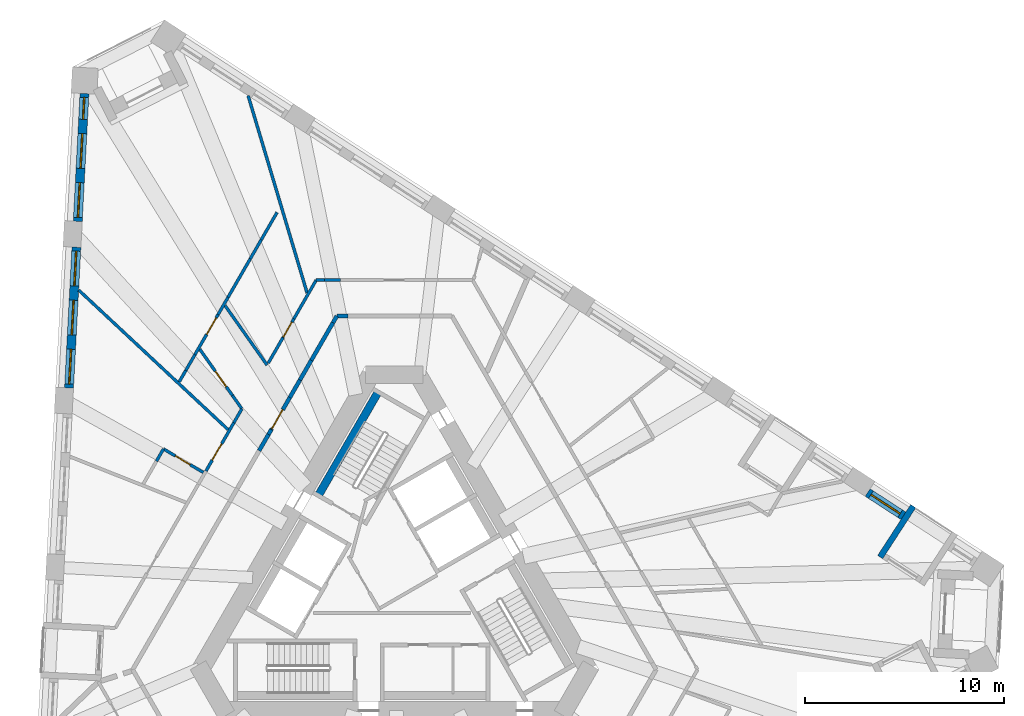
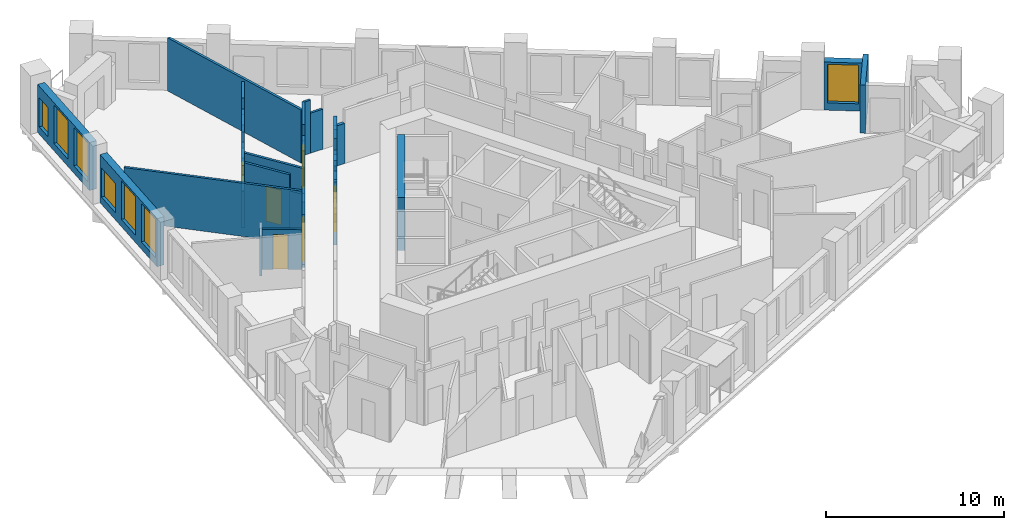
# One storey, part 7 of 13: 34 walls, 7 windows, 6 doors, 13 openings.
"""IFC4 building model written with IfcOpenShell, lengths in metres."""

from ifc_helpers import new_model, si_unit, direction, frame, frame_2d, origin, place, context, subcontext, project, spatial, polyline, rectangle, outline, extrude, material, layer, layer_set, type_object, element, fill, save


model = new_model("IFC4")

# Units and contexts
model_context = context("Model", 3, precision=1e-05, world=origin(), true_north=direction((0.0, 1.0)))
body_context = subcontext(model_context, "Body", "Model", "MODEL_VIEW")
ifc_project = project(units=[si_unit("LENGTHUNIT", "METRE"), si_unit("AREAUNIT", "SQUARE_METRE"), si_unit("VOLUMEUNIT", "CUBIC_METRE"), si_unit("PLANEANGLEUNIT", "RADIAN"), si_unit("MASSUNIT", "GRAM", prefix="KILO")], contexts=[model_context])

# Site, building, storey
site_placement = place(None, origin())
site = spatial("IfcSite", under=ifc_project, at=site_placement, CompositionType="ELEMENT")
building_placement = place(site_placement, origin())
building = spatial("IfcBuilding", under=site, at=building_placement, Name="Tramontana Tower", CompositionType="ELEMENT")
storey_placement = place(building_placement, frame((0.0, 0.0, 141.60009765625)))
storey = spatial("IfcBuildingStorey", under=building, at=storey_placement, Name="L32", CompositionType="ELEMENT", Elevation=141.60009765625)

# Walls
ifc_material_1 = material(Name="Blockwork", Category="masonry")
ifc_layer_1 = layer(ifc_material_1, 0.199951171875)
ifc_layer_set_1 = layer_set([ifc_layer_1], Name="ENTRY WALL 200")
wall_type_1 = type_object("IfcWallType", Name="ENTRY WALL 200", PredefinedType="SOLIDWALL", material=ifc_layer_set_1)
wall_1_placement = place(storey_placement, frame((-6.790283203125, 6.739013671875, 0.0), z_axis=(0.0, 0.0, 1.0), x_axis=(0.500118100521, 0.865957207679, 0.0)))
element("IfcWall", 1, at=wall_1_placement, inside=storey, type_object=wall_type_1, Name="Wall v31-ew4-5", PredefinedType="SOLIDWALL", context=body_context, shape_type="SweptSolid", body=[
    extrude(rectangle(XDim=0.943603515625, YDim=0.199951171875, at=frame_2d((0.4716796875, 0.0))), origin(), (0.0, 0.0, 1.0), 2.5498046875),
])
wall_2_placement = place(storey_placement, frame((-6.318359375, 7.55615234375, 0.0), z_axis=(0.0, 0.0, 1.0), x_axis=(0.499973348067, 0.866040790738, 0.0)))
element("IfcWall", 2, at=wall_2_placement, inside=storey, type_object=wall_type_1, Name="Wall v31-ew4-6", PredefinedType="SOLIDWALL", context=body_context, shape_type="SweptSolid", body=[
    extrude(rectangle(XDim=0.28076171875, YDim=0.199951171875, at=frame_2d((0.140380859375, 0.0))), origin(), (0.0, 0.0, 1.0), 3.64990234375),
])

# Wall, opening, door
wall_3_placement = place(storey_placement, frame((-6.177978515625, 7.79931640625, 0.0), z_axis=(0.0, 0.0, 1.0), x_axis=(0.499999386358, 0.86602575807, 0.0)))
wall_3 = element("IfcWall", 3, at=wall_3_placement, inside=storey, type_object=wall_type_1, Name="Wall v31-ew4-7", PredefinedType="SOLIDWALL", context=body_context, shape_type="SweptSolid", body=[
    extrude(outline(polyline([(0.0, 0.0), (1.85693359375, 0.0), (1.85693359375, 2.5498046875), (0.833251953125, 2.5498046875), (0.833251953125, 3.64990234375), (0.0, 3.64990234375), (0.0, 0.0)])), frame((0.0, 0.10009765625, 0.0), z_axis=(0.0, -1.0, 0.0), x_axis=(1.0, 0.0, 0.0)), (0.0, 0.0, 1.0), 0.199951171875),
])
opening_1_placement = place(wall_3_placement, frame((0.050048828125, 0.0, 0.0)))
opening_1 = element("IfcOpeningElement", 4, at=opening_1_placement, cuts=wall_3, Name="Opening B3B-26", PredefinedType="OPENING", context=body_context, shape_type="SweptSolid", body=[
    extrude(rectangle(XDim=1.10009765625, YDim=2.39990234375, at=frame_2d((0.550048828125, 1.199951171875))), frame((0.0, 0.10986328125, 0.0), z_axis=(0.0, -1.0, 0.0), x_axis=(1.0, 0.0, 0.0)), (0.0, 0.0, 1.0), 0.219970703125),
])
ifc_material_2 = material(Name="Painted timber", Category="wood")
door_type_1 = type_object("IfcDoorType", Name="DOOR ENTRY 1100", OperationType="SINGLE_SWING_LEFT", PredefinedType="DOOR", material=ifc_material_2)
door_1_placement = place(opening_1_placement, origin())
door_1 = element("IfcDoor", 5, at=door_1_placement, inside=storey, type_object=door_type_1, Name="Door B3B-26", OperationType="SINGLE_SWING_RIGHT", OverallHeight=2.39990234375, OverallWidth=1.10009765625, PredefinedType="DOOR", context=body_context, shape_type="SweptSolid", body=[
    extrude(rectangle(XDim=1.10009765625, YDim=2.39990234375, at=frame_2d((0.550048828125, 1.199951171875))), frame((0.0, 0.02490234375, 0.0), z_axis=(0.0, -1.0, 0.0), x_axis=(1.0, 0.0, 0.0)), (0.0, 0.0, 1.0), 0.050048828125),
])
fill(opening_1, door_1)

# Walls
wall_4_placement = place(storey_placement, frame((-5.24951171875, 9.407470703125, 0.0), z_axis=(0.0, 0.0, 1.0), x_axis=(0.499991148707, 0.866030514021, 0.0)))
element("IfcWall", 6, at=wall_4_placement, inside=storey, type_object=wall_type_1, Name="Wall v31-ew4-8", PredefinedType="SOLIDWALL", context=body_context, shape_type="SweptSolid", body=[
    extrude(rectangle(XDim=1.0224609375, YDim=0.199951171875, at=frame_2d((0.51123046875, 0.0))), origin(), (0.0, 0.0, 1.0), 3.64990234375),
])
wall_5_placement = place(storey_placement, frame((-4.73828125, 10.29296875, 0.0), z_axis=(0.0, 0.0, 1.0), x_axis=(0.500001688065, 0.866024429177, 0.0)))
element("IfcWall", 7, at=wall_5_placement, inside=storey, type_object=wall_type_1, Name="Wall v31-ew4-9", PredefinedType="SOLIDWALL", context=body_context, shape_type="SweptSolid", body=[
    extrude(rectangle(XDim=1.13525390625, YDim=0.199951171875, at=frame_2d((0.567626953125, 0.0))), origin(), (0.0, 0.0, 1.0), 2.5498046875),
])
wall_6_placement = place(storey_placement, frame((-4.170654296875, 11.276123046875, 0.0), z_axis=(0.0, 0.0, 1.0), x_axis=(0.50001992892, 0.866013897511, 0.0)))
element("IfcWall", 8, at=wall_6_placement, inside=storey, type_object=wall_type_1, Name="Wall v31-ew4-10", PredefinedType="SOLIDWALL", context=body_context, shape_type="SweptSolid", body=[
    extrude(rectangle(XDim=2.1787109375, YDim=0.199951171875, at=frame_2d((1.08935546875, 0.0))), origin(), (0.0, 0.0, 1.0), 3.64990234375),
])
wall_7_placement = place(storey_placement, frame((-3.081298828125, 13.162841796875, 0.0), z_axis=(0.0, 0.0, 1.0), x_axis=(0.499849133735, 0.866112488944, 0.0)))
element("IfcWall", 9, at=wall_7_placement, inside=storey, type_object=wall_type_1, Name="Wall v31-ew4-11", PredefinedType="SOLIDWALL", context=body_context, shape_type="SweptSolid", body=[
    extrude(rectangle(XDim=0.38916015625, YDim=0.199951171875, at=frame_2d((0.194580078125, 0.0))), origin(), (0.0, 0.0, 1.0), 2.75),
])
wall_8_placement = place(storey_placement, frame((-2.88671875, 13.5, 0.0), z_axis=(0.0, 0.0, 1.0), x_axis=(1.0, 0.0, 0.0)))
element("IfcWall", 10, at=wall_8_placement, inside=storey, type_object=wall_type_1, Name="Wall v31-ew5-0", PredefinedType="SOLIDWALL", context=body_context, shape_type="SweptSolid", body=[
    extrude(rectangle(XDim=0.55322265625, YDim=0.199951171875, at=frame_2d((0.276611328125, 0.0))), origin(), (0.0, 0.0, 1.0), 2.75),
])

# Wall, openings, windows
ifc_material_3 = material(Name="Precast concrete 60 MPa", Category="concrete")
ifc_layer_2 = layer(ifc_material_3, 0.449951171875)
ifc_layer_set_2 = layer_set([ifc_layer_2], Name="Precast concrete 60 MPa, 450 mm")
wall_type_2 = type_object("IfcWallType", Name="EW1 Stone-faced precast wall 450", PredefinedType="SOLIDWALL", material=ifc_layer_set_2)
wall_9_placement = place(storey_placement, frame((-15.5556640625, 24.66259765625, 0.0), z_axis=(0.0, 0.0, 1.0), x_axis=(-0.052313391961, -0.998630717043, 0.0)))
wall_9 = element("IfcWall", 11, at=wall_9_placement, inside=storey, type_object=wall_type_2, Name="External wall L32 face 0 bay 1", PredefinedType="SOLIDWALL", context=body_context, shape_type="SweptSolid", body=[
    extrude(rectangle(XDim=6.421630859375, YDim=0.449951171875, at=frame_2d((3.2109375, 0.0))), origin(), (0.0, 0.0, 1.0), 3.2998046875),
])
opening_2_placement = place(wall_9_placement, frame((0.1953125, 0.0, 0.5)))
opening_2 = element("IfcOpeningElement", 12, at=opening_2_placement, cuts=wall_9, Name="Opening N2L", PredefinedType="OPENING", context=body_context, shape_type="SweptSolid", body=[
    extrude(rectangle(XDim=1.10009765625, YDim=2.0, at=frame_2d((0.550048828125, 1.0))), frame((0.0, 0.23486328125, 0.0), z_axis=(0.0, -1.0, 0.0), x_axis=(1.0, 0.0, 0.0)), (0.0, 0.0, 1.0), 0.469970703125),
])
opening_3_placement = place(wall_9_placement, frame((2.0107421875, 0.0, 0.5)))
opening_3 = element("IfcOpeningElement", 13, at=opening_3_placement, cuts=wall_9, Name="Opening M2", PredefinedType="OPENING", context=body_context, shape_type="SweptSolid", body=[
    extrude(rectangle(XDim=1.75, YDim=2.64990234375, at=frame_2d((0.875, 1.324951171875))), frame((0.0, 0.23486328125, 0.0), z_axis=(0.0, -1.0, 0.0), x_axis=(1.0, 0.0, 0.0)), (0.0, 0.0, 1.0), 0.469970703125),
])
opening_4_placement = place(wall_9_placement, frame((4.476318359375, 0.0, 0.5)))
opening_4 = element("IfcOpeningElement", 14, at=opening_4_placement, cuts=wall_9, Name="Opening M2", PredefinedType="OPENING", context=body_context, shape_type="SweptSolid", body=[
    extrude(rectangle(XDim=1.75, YDim=2.64990234375, at=frame_2d((0.875, 1.324951171875))), frame((0.0, 0.23486328125, 0.0), z_axis=(0.0, -1.0, 0.0), x_axis=(1.0, 0.0, 0.0)), (0.0, 0.0, 1.0), 0.469970703125),
])
ifc_material_4 = material(Name="Aluminum frame, double glazing unit", Category="aluminium")
window_type_1 = type_object("IfcWindowType", Name="M2 Window 1.75 x 2.65", PartitioningType="SINGLE_PANEL", PredefinedType="WINDOW", material=ifc_material_4)
window_1_placement = place(opening_3_placement, origin())
window_1 = element("IfcWindow", 15, at=window_1_placement, inside=storey, type_object=window_type_1, Name="Window M2 L32 face 0 module 2", OverallHeight=2.64990234375, OverallWidth=1.75, PartitioningType="SINGLE_PANEL", PredefinedType="WINDOW", context=body_context, shape_type="SweptSolid", body=[
    extrude(rectangle(XDim=1.75, YDim=2.64990234375, at=frame_2d((0.875, 1.324951171875))), frame((0.0, 0.030029296875, 0.0), z_axis=(0.0, -1.0, 0.0), x_axis=(1.0, 0.0, 0.0)), (0.0, 0.0, 1.0), 0.06005859375),
])
fill(opening_3, window_1)
window_2_placement = place(opening_4_placement, origin())
window_2 = element("IfcWindow", 16, at=window_2_placement, inside=storey, type_object=window_type_1, Name="Window M2 L32 face 0 module 3", OverallHeight=2.64990234375, OverallWidth=1.75, PartitioningType="SINGLE_PANEL", PredefinedType="WINDOW", context=body_context, shape_type="SweptSolid", body=[
    extrude(rectangle(XDim=1.75, YDim=2.64990234375, at=frame_2d((0.875, 1.324951171875))), frame((0.0, 0.030029296875, 0.0), z_axis=(0.0, -1.0, 0.0), x_axis=(1.0, 0.0, 0.0)), (0.0, 0.0, 1.0), 0.06005859375),
])
fill(opening_4, window_2)
ifc_material_5 = material(Name="Aluminum frame, double glazing unit", Category="aluminium")
window_type_2 = type_object("IfcWindowType", Name="N2L Window 1.1 x 2", PartitioningType="SINGLE_PANEL", PredefinedType="WINDOW", material=ifc_material_5)
window_3_placement = place(opening_2_placement, origin())
window_3 = element("IfcWindow", 17, at=window_3_placement, inside=storey, type_object=window_type_2, Name="Window N2L L32 face 0 module 1", OverallHeight=2.0, OverallWidth=1.10009765625, PartitioningType="SINGLE_PANEL", PredefinedType="WINDOW", context=body_context, shape_type="SweptSolid", body=[
    extrude(rectangle(XDim=1.10009765625, YDim=2.0, at=frame_2d((0.550048828125, 1.0))), frame((0.0, 0.030029296875, 0.0), z_axis=(0.0, -1.0, 0.0), x_axis=(1.0, 0.0, 0.0)), (0.0, 0.0, 1.0), 0.06005859375),
])
fill(opening_2, window_3)

wall_10_placement = place(storey_placement, frame((-15.959716796875, 16.95166015625, 0.0), z_axis=(0.0, 0.0, 1.0), x_axis=(-0.052337766399, -0.998629439887, 0.0)))
wall_10 = element("IfcWall", 18, at=wall_10_placement, inside=storey, type_object=wall_type_2, Name="External wall L32 face 0 bay 2", PredefinedType="SOLIDWALL", context=body_context, shape_type="SweptSolid", body=[
    extrude(rectangle(XDim=7.07177734375, YDim=0.449951171875, at=frame_2d((3.535888671875, 0.0))), origin(), (0.0, 0.0, 1.0), 3.2998046875),
])
opening_5_placement = place(wall_10_placement, frame((0.1953125, 0.0, 0.5)))
opening_5 = element("IfcOpeningElement", 19, at=opening_5_placement, cuts=wall_10, Name="Opening M2L", PredefinedType="OPENING", context=body_context, shape_type="SweptSolid", body=[
    extrude(rectangle(XDim=1.75, YDim=2.0, at=frame_2d((0.875, 1.0))), frame((0.0, 0.23486328125, 0.0), z_axis=(0.0, -1.0, 0.0), x_axis=(1.0, 0.0, 0.0)), (0.0, 0.0, 1.0), 0.469970703125),
])
opening_6_placement = place(wall_10_placement, frame((2.660888671875, 0.0, 0.5)))
opening_6 = element("IfcOpeningElement", 20, at=opening_6_placement, cuts=wall_10, Name="Opening M2", PredefinedType="OPENING", context=body_context, shape_type="SweptSolid", body=[
    extrude(rectangle(XDim=1.75, YDim=2.64990234375, at=frame_2d((0.875, 1.324951171875))), frame((0.0, 0.23486328125, 0.0), z_axis=(0.0, -1.0, 0.0), x_axis=(1.0, 0.0, 0.0)), (0.0, 0.0, 1.0), 0.469970703125),
])
opening_7_placement = place(wall_10_placement, frame((5.126220703125, 0.0, 0.5)))
opening_7 = element("IfcOpeningElement", 21, at=opening_7_placement, cuts=wall_10, Name="Opening M2", PredefinedType="OPENING", context=body_context, shape_type="SweptSolid", body=[
    extrude(rectangle(XDim=1.75, YDim=2.64990234375, at=frame_2d((0.875, 1.324951171875))), frame((0.0, 0.23486328125, 0.0), z_axis=(0.0, -1.0, 0.0), x_axis=(1.0, 0.0, 0.0)), (0.0, 0.0, 1.0), 0.469970703125),
])
window_4_placement = place(opening_6_placement, origin())
window_4 = element("IfcWindow", 22, at=window_4_placement, inside=storey, type_object=window_type_1, Name="Window M2 L32 face 0 module 5", OverallHeight=2.64990234375, OverallWidth=1.75, PartitioningType="SINGLE_PANEL", PredefinedType="WINDOW", context=body_context, shape_type="SweptSolid", body=[
    extrude(rectangle(XDim=1.75, YDim=2.64990234375, at=frame_2d((0.875, 1.324951171875))), frame((0.0, 0.030029296875, 0.0), z_axis=(0.0, -1.0, 0.0), x_axis=(1.0, 0.0, 0.0)), (0.0, 0.0, 1.0), 0.06005859375),
])
fill(opening_6, window_4)
window_5_placement = place(opening_7_placement, origin())
window_5 = element("IfcWindow", 23, at=window_5_placement, inside=storey, type_object=window_type_1, Name="Window M2 L32 face 0 module 6", OverallHeight=2.64990234375, OverallWidth=1.75, PartitioningType="SINGLE_PANEL", PredefinedType="WINDOW", context=body_context, shape_type="SweptSolid", body=[
    extrude(rectangle(XDim=1.75, YDim=2.64990234375, at=frame_2d((0.875, 1.324951171875))), frame((0.0, 0.030029296875, 0.0), z_axis=(0.0, -1.0, 0.0), x_axis=(1.0, 0.0, 0.0)), (0.0, 0.0, 1.0), 0.06005859375),
])
fill(opening_7, window_5)
ifc_material_6 = material(Name="Aluminum frame, double glazing unit", Category="aluminium")
window_type_3 = type_object("IfcWindowType", Name="M2L Window 1.75 x 2", PartitioningType="SINGLE_PANEL", PredefinedType="WINDOW", material=ifc_material_6)
window_6_placement = place(opening_5_placement, origin())
window_6 = element("IfcWindow", 24, at=window_6_placement, inside=storey, type_object=window_type_3, Name="Window M2L L32 face 0 module 4", OverallHeight=2.0, OverallWidth=1.75, PartitioningType="SINGLE_PANEL", PredefinedType="WINDOW", context=body_context, shape_type="SweptSolid", body=[
    extrude(rectangle(XDim=1.75, YDim=2.0, at=frame_2d((0.875, 1.0))), frame((0.0, 0.030029296875, 0.0), z_axis=(0.0, -1.0, 0.0), x_axis=(1.0, 0.0, 0.0)), (0.0, 0.0, 1.0), 0.06005859375),
])
fill(opening_5, window_6)

# Wall, opening, window
wall_11_placement = place(storey_placement, frame((25.5458984375, 3.471923828125, 0.0), z_axis=(0.0, 0.0, 1.0), x_axis=(-0.838675466927, 0.544631491171, 0.0)))
wall_11 = element("IfcWall", 25, at=wall_11_placement, inside=storey, type_object=wall_type_2, Name="External wall L32 face 2 bay 1", PredefinedType="SOLIDWALL", context=body_context, shape_type="SweptSolid", body=[
    extrude(rectangle(XDim=2.140380859375, YDim=0.449951171875, at=frame_2d((1.0703125, 0.0))), origin(), (0.0, 0.0, 1.0), 3.2998046875),
])
opening_8_placement = place(wall_11_placement, frame((0.1953125, 0.0, 0.5)))
opening_8 = element("IfcOpeningElement", 26, at=opening_8_placement, cuts=wall_11, Name="Opening M2", PredefinedType="OPENING", context=body_context, shape_type="SweptSolid", body=[
    extrude(rectangle(XDim=1.75, YDim=2.64990234375, at=frame_2d((0.875, 1.324951171875))), frame((0.0, 0.23486328125, 0.0), z_axis=(0.0, -1.0, 0.0), x_axis=(1.0, 0.0, 0.0)), (0.0, 0.0, 1.0), 0.469970703125),
])
window_7_placement = place(opening_8_placement, origin())
window_7 = element("IfcWindow", 27, at=window_7_placement, inside=storey, type_object=window_type_1, Name="Window M2 L32 face 2 module 3", OverallHeight=2.64990234375, OverallWidth=1.75, PartitioningType="SINGLE_PANEL", PredefinedType="WINDOW", context=body_context, shape_type="SweptSolid", body=[
    extrude(rectangle(XDim=1.75, YDim=2.64990234375, at=frame_2d((0.875, 1.324951171875))), frame((0.0, 0.030029296875, 0.0), z_axis=(0.0, -1.0, 0.0), x_axis=(1.0, 0.0, 0.0)), (0.0, 0.0, 1.0), 0.06005859375),
])
fill(opening_8, window_7)

# Wall
ifc_material_7 = material(Name="Precast concrete 60 MPa", Category="concrete")
ifc_layer_3 = layer(ifc_material_7, 0.300048828125)
ifc_layer_set_3 = layer_set([ifc_layer_3], Name="LW1 Stone-faced loggia wall 300")
wall_type_3 = type_object("IfcWallType", Name="LW1 Stone-faced loggia wall 300", PredefinedType="SOLIDWALL", material=ifc_layer_set_3)
wall_12_placement = place(storey_placement, frame((26.039306640625, 3.956298828125, 0.0), z_axis=(0.0, 0.0, 1.0), x_axis=(-0.544611292451, -0.838688583525, 0.0)))
element("IfcWall", 28, at=wall_12_placement, inside=storey, type_object=wall_type_3, Name="Loggia return L32 G3S2.1b", PredefinedType="SOLIDWALL", context=body_context, shape_type="SweptSolid", body=[
    extrude(rectangle(XDim=3.050048828125, YDim=0.300048828125, at=frame_2d((1.52490234375, 0.0))), origin(), (0.0, 0.0, 1.0), 3.2998046875),
])

# Wall, opening, door
ifc_material_8 = material(Name="Gypsum board partition")
ifc_layer_4 = layer(ifc_material_8, 0.14990234375)
ifc_layer_set_4 = layer_set([ifc_layer_4], Name="PARTITION 150")
wall_type_4 = type_object("IfcWallType", Name="PARTITION 150", PredefinedType="PARTITIONING", material=ifc_layer_set_4)
wall_13_placement = place(storey_placement, frame((-9.457763671875, 5.71875, 0.0), z_axis=(0.0, 0.0, 1.0), x_axis=(0.499996941814, 0.866027169422, 0.0)))
wall_13 = element("IfcWall", 29, at=wall_13_placement, inside=storey, type_object=wall_type_4, Name="Wall v31-pw04-4", PredefinedType="PARTITIONING", context=body_context, shape_type="SweptSolid", body=[
    extrude(rectangle(XDim=2.79736328125, YDim=0.14990234375, at=frame_2d((1.398681640625, 0.0))), origin(), (0.0, 0.0, 1.0), 3.64990234375),
])
opening_9_placement = place(wall_13_placement, frame((0.6298828125, 0.0, 0.0)))
opening_9 = element("IfcOpeningElement", 30, at=opening_9_placement, cuts=wall_13, Name="Opening B3B-05", PredefinedType="OPENING", context=body_context, shape_type="SweptSolid", body=[
    extrude(rectangle(XDim=0.949951171875, YDim=2.39990234375, at=frame_2d((0.47509765625, 1.199951171875))), frame((0.0, 0.0849609375, 0.0), z_axis=(0.0, -1.0, 0.0), x_axis=(1.0, 0.0, 0.0)), (0.0, 0.0, 1.0), 0.169921875),
])
ifc_material_9 = material(Name="Painted timber", Category="wood")
door_type_2 = type_object("IfcDoorType", Name="DOOR ROOM 950", OperationType="SINGLE_SWING_LEFT", PredefinedType="DOOR", material=ifc_material_9)
door_2_placement = place(opening_9_placement, origin())
door_2 = element("IfcDoor", 31, at=door_2_placement, inside=storey, type_object=door_type_2, Name="Door B3B-05", OperationType="SINGLE_SWING_LEFT", OverallHeight=2.39990234375, OverallWidth=0.949951171875, PredefinedType="DOOR", context=body_context, shape_type="SweptSolid", body=[
    extrude(rectangle(XDim=0.949951171875, YDim=2.39990234375, at=frame_2d((0.47509765625, 1.199951171875))), frame((0.0, 0.02490234375, 0.0), z_axis=(0.0, -1.0, 0.0), x_axis=(1.0, 0.0, 0.0)), (0.0, 0.0, 1.0), 0.050048828125),
])
fill(opening_9, door_2)

# Walls
wall_14_placement = place(storey_placement, frame((-8.05908203125, 8.141357421875, 0.0), z_axis=(0.0, 0.0, 1.0), x_axis=(0.499949632511, 0.866054481515, 0.0)))
element("IfcWall", 32, at=wall_14_placement, inside=storey, type_object=wall_type_4, Name="Wall v31-pw04-5", PredefinedType="PARTITIONING", context=body_context, shape_type="SweptSolid", body=[
    extrude(rectangle(XDim=0.80615234375, YDim=0.14990234375, at=frame_2d((0.403076171875, 0.0))), origin(), (0.0, 0.0, 1.0), 2.5498046875),
])
wall_15_placement = place(storey_placement, frame((-11.94140625, 6.216796875, 0.0), z_axis=(0.0, 0.0, 1.0), x_axis=(0.499792463624, 0.866145191815, 0.0)))
element("IfcWall", 33, at=wall_15_placement, inside=storey, type_object=wall_type_4, Name="Wall v31-pw08-1", PredefinedType="PARTITIONING", context=body_context, shape_type="SweptSolid", body=[
    extrude(rectangle(XDim=0.704345703125, YDim=0.14990234375, at=frame_2d((0.35205078125, 0.0))), origin(), (0.0, 0.0, 1.0), 2.75),
])

# Wall, opening, door
wall_16_placement = place(storey_placement, frame((-9.5859375, 5.646728515625, 0.0), z_axis=(0.0, 0.0, 1.0), x_axis=(-0.861615541437, 0.507561482733, 0.0)))
wall_16 = element("IfcWall", 34, at=wall_16_placement, inside=storey, type_object=wall_type_4, Name="Wall v31-pw10-0", PredefinedType="PARTITIONING", context=body_context, shape_type="SweptSolid", body=[
    extrude(rectangle(XDim=2.3251953125, YDim=0.14990234375, at=frame_2d((1.16259765625, 0.0))), origin(), (0.0, 0.0, 1.0), 2.75),
])
opening_10_placement = place(wall_16_placement, frame((0.780029296875, 0.0, 0.0)))
opening_10 = element("IfcOpeningElement", 35, at=opening_10_placement, cuts=wall_16, Name="Opening B3B-08", PredefinedType="OPENING", context=body_context, shape_type="SweptSolid", body=[
    extrude(rectangle(XDim=0.85009765625, YDim=2.39990234375, at=frame_2d((0.425048828125, 1.199951171875))), frame((0.0, 0.0849609375, 0.0), z_axis=(0.0, -1.0, 0.0), x_axis=(1.0, 0.0, 0.0)), (0.0, 0.0, 1.0), 0.169921875),
])
ifc_material_10 = material(Name="Painted timber", Category="wood")
door_type_3 = type_object("IfcDoorType", Name="DOOR BATH 850", OperationType="SINGLE_SWING_LEFT", PredefinedType="DOOR", material=ifc_material_10)
door_3_placement = place(opening_10_placement, origin())
door_3 = element("IfcDoor", 36, at=door_3_placement, inside=storey, type_object=door_type_3, Name="Door B3B-08", OperationType="SINGLE_SWING_RIGHT", OverallHeight=2.39990234375, OverallWidth=0.85009765625, PredefinedType="DOOR", context=body_context, shape_type="SweptSolid", body=[
    extrude(rectangle(XDim=0.85009765625, YDim=2.39990234375, at=frame_2d((0.425048828125, 1.199951171875))), frame((0.0, 0.02490234375, 0.0), z_axis=(0.0, -1.0, 0.0), x_axis=(1.0, 0.0, 0.0)), (0.0, 0.0, 1.0), 0.050048828125),
])
fill(opening_10, door_3)

# Walls
wall_17_placement = place(storey_placement, frame((-10.80126953125, 10.191650390625, 0.0), z_axis=(0.0, 0.0, 1.0), x_axis=(0.499923391538, 0.866069629183, 0.0)))
element("IfcWall", 37, at=wall_17_placement, inside=storey, type_object=wall_type_4, Name="Wall v31-pw12-0", PredefinedType="PARTITIONING", context=body_context, shape_type="SweptSolid", body=[
    extrude(rectangle(XDim=0.666015625, YDim=0.14990234375, at=frame_2d((0.3330078125, 0.0))), origin(), (0.0, 0.0, 1.0), 3.64990234375),
])
wall_18_placement = place(storey_placement, frame((-10.46826171875, 10.7685546875, 0.0), z_axis=(0.0, 0.0, 1.0), x_axis=(0.500060322201, 0.865990573944, 0.0)))
element("IfcWall", 38, at=wall_18_placement, inside=storey, type_object=wall_type_4, Name="Wall v31-pw12-1", PredefinedType="PARTITIONING", context=body_context, shape_type="SweptSolid", body=[
    extrude(rectangle(XDim=0.91748046875, YDim=0.14990234375, at=frame_2d((0.458740234375, 0.0))), origin(), (0.0, 0.0, 1.0), 2.5498046875),
])

# Wall, opening, door
wall_19_placement = place(storey_placement, frame((-10.009521484375, 11.56298828125, 0.0), z_axis=(0.0, 0.0, 1.0), x_axis=(0.499986579711, 0.866033151853, 0.0)))
wall_19 = element("IfcWall", 39, at=wall_19_placement, inside=storey, type_object=wall_type_4, Name="Wall v31-pw12-2", PredefinedType="PARTITIONING", context=body_context, shape_type="SweptSolid", body=[
    extrude(rectangle(XDim=2.3203125, YDim=0.14990234375, at=frame_2d((1.16015625, 0.0))), origin(), (0.0, 0.0, 1.0), 3.64990234375),
])
opening_11_placement = place(wall_19_placement, frame((1.178466796875, 0.0, 0.0)))
opening_11 = element("IfcOpeningElement", 40, at=opening_11_placement, cuts=wall_19, Name="Opening B3B-03", PredefinedType="OPENING", context=body_context, shape_type="SweptSolid", body=[
    extrude(rectangle(XDim=0.949951171875, YDim=2.39990234375, at=frame_2d((0.47509765625, 1.199951171875))), frame((0.0, 0.0849609375, 0.0), z_axis=(0.0, -1.0, 0.0), x_axis=(1.0, 0.0, 0.0)), (0.0, 0.0, 1.0), 0.169921875),
])
door_4_placement = place(opening_11_placement, origin())
door_4 = element("IfcDoor", 41, at=door_4_placement, inside=storey, type_object=door_type_2, Name="Door B3B-03", OperationType="SINGLE_SWING_LEFT", OverallHeight=2.39990234375, OverallWidth=0.949951171875, PredefinedType="DOOR", context=body_context, shape_type="SweptSolid", body=[
    extrude(rectangle(XDim=0.949951171875, YDim=2.39990234375, at=frame_2d((0.47509765625, 1.199951171875))), frame((0.0, 0.02490234375, 0.0), z_axis=(0.0, -1.0, 0.0), x_axis=(1.0, 0.0, 0.0)), (0.0, 0.0, 1.0), 0.050048828125),
])
fill(opening_11, door_4)

# Walls
wall_20_placement = place(storey_placement, frame((-8.849365234375, 13.572509765625, 0.0), z_axis=(0.0, 0.0, 1.0), x_axis=(0.499991453095, 0.866030338286, 0.0)))
element("IfcWall", 42, at=wall_20_placement, inside=storey, type_object=wall_type_4, Name="Wall v31-pw12-3", PredefinedType="PARTITIONING", context=body_context, shape_type="SweptSolid", body=[
    extrude(rectangle(XDim=0.9951171875, YDim=0.14990234375, at=frame_2d((0.49755859375, 0.0))), origin(), (0.0, 0.0, 1.0), 2.5498046875),
])
wall_21_placement = place(storey_placement, frame((-8.351806640625, 14.434326171875, 0.0), z_axis=(0.0, 0.0, 1.0), x_axis=(0.500040905051, 0.866001785954, 0.0)))
element("IfcWall", 43, at=wall_21_placement, inside=storey, type_object=wall_type_4, Name="Wall v31-pw12-4", PredefinedType="PARTITIONING", context=body_context, shape_type="SweptSolid", body=[
    extrude(rectangle(XDim=2.234130859375, YDim=0.14990234375, at=frame_2d((1.1171875, 0.0))), origin(), (0.0, 0.0, 1.0), 3.64990234375),
])
wall_22_placement = place(storey_placement, frame((-7.234619140625, 16.369140625, 0.0), z_axis=(0.0, 0.0, 1.0), x_axis=(0.499850094852, 0.866111934265, 0.0)))
element("IfcWall", 44, at=wall_22_placement, inside=storey, type_object=wall_type_4, Name="Wall v31-pw12-5", PredefinedType="PARTITIONING", context=body_context, shape_type="SweptSolid", body=[
    extrude(rectangle(XDim=1.103759765625, YDim=0.14990234375, at=frame_2d((0.5517578125, 0.0))), origin(), (0.0, 0.0, 1.0), 2.5498046875),
])
wall_23_placement = place(storey_placement, frame((-6.682861328125, 17.3251953125, 0.0), z_axis=(0.0, 0.0, 1.0), x_axis=(0.500108487576, 0.865962759392, 0.0)))
element("IfcWall", 45, at=wall_23_placement, inside=storey, type_object=wall_type_4, Name="Wall v31-pw12-6", PredefinedType="PARTITIONING", context=body_context, shape_type="SweptSolid", body=[
    extrude(rectangle(XDim=1.587646484375, YDim=0.14990234375, at=frame_2d((0.7939453125, 0.0))), origin(), (0.0, 0.0, 1.0), 3.64990234375),
])
wall_24_placement = place(storey_placement, frame((-8.50146484375, 14.024658203125, 0.0), z_axis=(0.0, 0.0, 1.0), x_axis=(0.577037005517, -0.816718001677, 0.0)))
element("IfcWall", 46, at=wall_24_placement, inside=storey, type_object=wall_type_4, Name="Wall v31-pw14-0", PredefinedType="PARTITIONING", context=body_context, shape_type="SweptSolid", body=[
    extrude(rectangle(XDim=3.65673828125, YDim=0.14990234375, at=frame_2d((1.828369140625, 0.0))), origin(), (0.0, 0.0, 1.0), 2.5498046875),
])
wall_25_placement = place(storey_placement, frame((-8.345458984375, 7.795166015625, 0.0), z_axis=(0.0, 0.0, 1.0), x_axis=(-0.730777599557, 0.68261563122, 0.0)))
element("IfcWall", 47, at=wall_25_placement, inside=storey, type_object=wall_type_4, Name="Wall v31-pw15", PredefinedType="PARTITIONING", context=body_context, shape_type="SweptSolid", body=[
    extrude(rectangle(XDim=10.26513671875, YDim=0.14990234375, at=frame_2d((5.132568359375, 0.0))), origin(), (0.0, 0.0, 1.0), 3.64990234375),
])
wall_26_placement = place(storey_placement, frame((-7.656005859375, 8.842529296875, 0.0), z_axis=(0.0, 0.0, 1.0), x_axis=(-0.577242645189, 0.81657267195, 0.0)))
element("IfcWall", 48, at=wall_26_placement, inside=storey, type_object=wall_type_4, Name="Wall v31-pw17-0", PredefinedType="PARTITIONING", context=body_context, shape_type="SweptSolid", body=[
    extrude(rectangle(XDim=0.822265625, YDim=0.14990234375, at=frame_2d((0.4111328125, 0.0))), origin(), (0.0, 0.0, 1.0), 2.5498046875),
])

# Wall, opening, door
wall_27_placement = place(storey_placement, frame((-8.130615234375, 9.513916015625, 0.0), z_axis=(0.0, 0.0, 1.0), x_axis=(-0.577014212804, 0.816734104971, 0.0)))
wall_27 = element("IfcWall", 49, at=wall_27_placement, inside=storey, type_object=wall_type_4, Name="Wall v31-pw17-1", PredefinedType="PARTITIONING", context=body_context, shape_type="SweptSolid", body=[
    extrude(rectangle(XDim=2.83740234375, YDim=0.14990234375, at=frame_2d((1.418701171875, 0.0))), origin(), (0.0, 0.0, 1.0), 3.64990234375),
])
opening_12_placement = place(wall_27_placement, frame((0.532470703125, 0.0, 0.0)))
opening_12 = element("IfcOpeningElement", 50, at=opening_12_placement, cuts=wall_27, Name="Opening B3B-01", PredefinedType="OPENING", context=body_context, shape_type="SweptSolid", body=[
    extrude(rectangle(XDim=0.949951171875, YDim=2.39990234375, at=frame_2d((0.47509765625, 1.199951171875))), frame((0.0, 0.0849609375, 0.0), z_axis=(0.0, -1.0, 0.0), x_axis=(1.0, 0.0, 0.0)), (0.0, 0.0, 1.0), 0.169921875),
])
door_5_placement = place(opening_12_placement, origin())
door_5 = element("IfcDoor", 51, at=door_5_placement, inside=storey, type_object=door_type_2, Name="Door B3B-01", OperationType="SINGLE_SWING_LEFT", OverallHeight=2.39990234375, OverallWidth=0.949951171875, PredefinedType="DOOR", context=body_context, shape_type="SweptSolid", body=[
    extrude(rectangle(XDim=0.949951171875, YDim=2.39990234375, at=frame_2d((0.47509765625, 1.199951171875))), frame((0.0, 0.02490234375, 0.0), z_axis=(0.0, -1.0, 0.0), x_axis=(1.0, 0.0, 0.0)), (0.0, 0.0, 1.0), 0.050048828125),
])
fill(opening_12, door_5)

# Walls
wall_28_placement = place(storey_placement, frame((-7.34130859375, 24.560791015625, 0.0), z_axis=(0.0, 0.0, 1.0), x_axis=(0.286374506655, -0.958117759953, 0.0)))
element("IfcWall", 52, at=wall_28_placement, inside=storey, type_object=wall_type_4, Name="Wall v31-pw18", PredefinedType="PARTITIONING", context=body_context, shape_type="SweptSolid", body=[
    extrude(rectangle(XDim=10.33349609375, YDim=0.14990234375, at=frame_2d((5.166748046875, 0.0))), origin(), (0.0, 0.0, 1.0), 3.64990234375),
])
wall_29_placement = place(storey_placement, frame((-6.328125, 11.139404296875, 0.0), z_axis=(0.0, 0.0, 1.0), x_axis=(0.499929700969, 0.866065987145, 0.0)))
element("IfcWall", 53, at=wall_29_placement, inside=storey, type_object=wall_type_4, Name="Wall v31-pw19-1", PredefinedType="PARTITIONING", context=body_context, shape_type="SweptSolid", body=[
    extrude(rectangle(XDim=1.461669921875, YDim=0.14990234375, at=frame_2d((0.73095703125, 0.0))), origin(), (0.0, 0.0, 1.0), 3.64990234375),
])

# Wall, opening, door
wall_30_placement = place(storey_placement, frame((-5.597412109375, 12.4052734375, 0.0), z_axis=(0.0, 0.0, 1.0), x_axis=(0.500111757231, 0.865960871102, 0.0)))
wall_30 = element("IfcWall", 54, at=wall_30_placement, inside=storey, type_object=wall_type_4, Name="Wall v31-pw19-2", PredefinedType="PARTITIONING", context=body_context, shape_type="SweptSolid", body=[
    extrude(rectangle(XDim=1.103759765625, YDim=0.14990234375, at=frame_2d((0.5517578125, 0.0))), origin(), (0.0, 0.0, 1.0), 2.5498046875),
])
opening_13_placement = place(wall_30_placement, frame((0.052734375, 0.0, 0.0)))
opening_13 = element("IfcOpeningElement", 55, at=opening_13_placement, cuts=wall_30, Name="Opening B3B-02", PredefinedType="OPENING", context=body_context, shape_type="SweptSolid", body=[
    extrude(rectangle(XDim=0.85009765625, YDim=2.39990234375, at=frame_2d((0.425048828125, 1.199951171875))), frame((0.0, 0.0849609375, 0.0), z_axis=(0.0, -1.0, 0.0), x_axis=(1.0, 0.0, 0.0)), (0.0, 0.0, 1.0), 0.169921875),
])
door_6_placement = place(opening_13_placement, origin())
door_6 = element("IfcDoor", 56, at=door_6_placement, inside=storey, type_object=door_type_3, Name="Door B3B-02", OperationType="SINGLE_SWING_RIGHT", OverallHeight=2.39990234375, OverallWidth=0.85009765625, PredefinedType="DOOR", context=body_context, shape_type="SweptSolid", body=[
    extrude(rectangle(XDim=0.85009765625, YDim=2.39990234375, at=frame_2d((0.425048828125, 1.199951171875))), frame((0.0, 0.02490234375, 0.0), z_axis=(0.0, -1.0, 0.0), x_axis=(1.0, 0.0, 0.0)), (0.0, 0.0, 1.0), 0.050048828125),
])
fill(opening_13, door_6)

# Walls
wall_31_placement = place(storey_placement, frame((-5.04541015625, 13.361083984375, 0.0), z_axis=(0.0, 0.0, 1.0), x_axis=(0.499974169222, 0.866040316677, 0.0)))
element("IfcWall", 57, at=wall_31_placement, inside=storey, type_object=wall_type_4, Name="Wall v31-pw19-3", PredefinedType="PARTITIONING", context=body_context, shape_type="SweptSolid", body=[
    extrude(rectangle(XDim=2.23876953125, YDim=0.14990234375, at=frame_2d((1.119384765625, 0.0))), origin(), (0.0, 0.0, 1.0), 3.64990234375),
])
wall_32_placement = place(storey_placement, frame((-3.92578125, 15.300048828125, 0.0), z_axis=(0.0, 0.0, 1.0), x_axis=(1.0, 0.0, 0.0)))
element("IfcWall", 58, at=wall_32_placement, inside=storey, type_object=wall_type_4, Name="Wall v31-pw22-0", PredefinedType="PARTITIONING", context=body_context, shape_type="SweptSolid", body=[
    extrude(rectangle(XDim=0.423095703125, YDim=0.14990234375, at=frame_2d((0.21142578125, 0.0))), origin(), (0.0, 0.0, 1.0), 3.64990234375),
])
wall_33_placement = place(storey_placement, frame((-3.502685546875, 15.300048828125, 0.0), z_axis=(0.0, 0.0, 1.0), x_axis=(1.0, 0.0, 0.0)))
element("IfcWall", 59, at=wall_33_placement, inside=storey, type_object=wall_type_4, Name="Wall v31-pw22-1", PredefinedType="PARTITIONING", context=body_context, shape_type="SweptSolid", body=[
    extrude(rectangle(XDim=0.791015625, YDim=0.14990234375, at=frame_2d((0.3955078125, 0.0))), origin(), (0.0, 0.0, 1.0), 2.75),
])
ifc_material_11 = material(Name="Concrete 70 MPa", Category="concrete")
ifc_layer_5 = layer(ifc_material_11, 0.39990234375)
ifc_layer_set_5 = layer_set([ifc_layer_5], Name="Concrete 70 MPa, 400 mm")
wall_type_5 = type_object("IfcWallType", Name="RC SHAFT BACK WALL 400", PredefinedType="SOLIDWALL", material=ifc_layer_set_5)
wall_34_placement = place(storey_placement, frame((-0.766357421875, 9.7724609375, 0.0), z_axis=(0.0, 0.0, 1.0), x_axis=(-0.500009909098, -0.866019682689, 0.0)))
element("IfcWall", 60, at=wall_34_placement, inside=storey, type_object=wall_type_5, Name="Wall st1-back", PredefinedType="SOLIDWALL", context=body_context, shape_type="SweptSolid", body=[
    extrude(rectangle(XDim=6.199951171875, YDim=0.39990234375, at=frame_2d((3.10009765625, 0.0))), origin(), (0.0, 0.0, 1.0), 3.64990234375),
])

save(model, "model.ifc")
